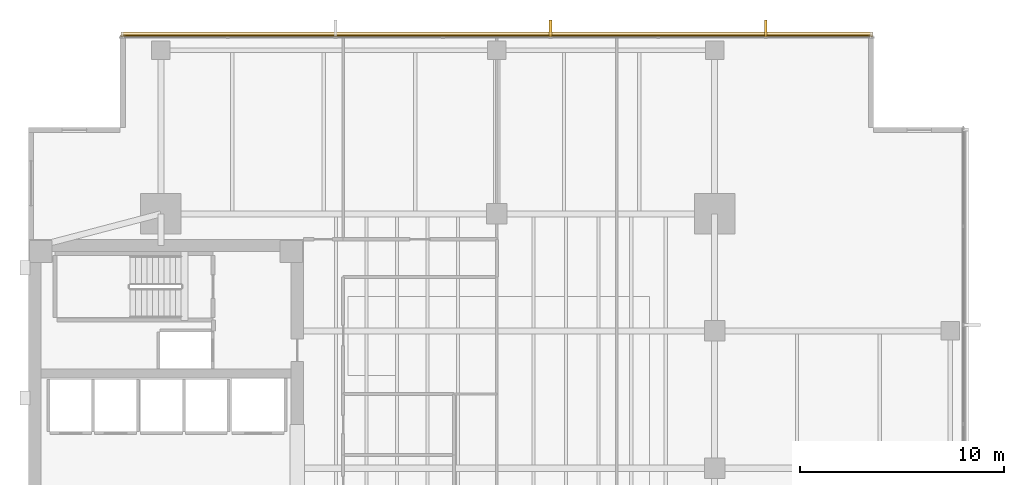
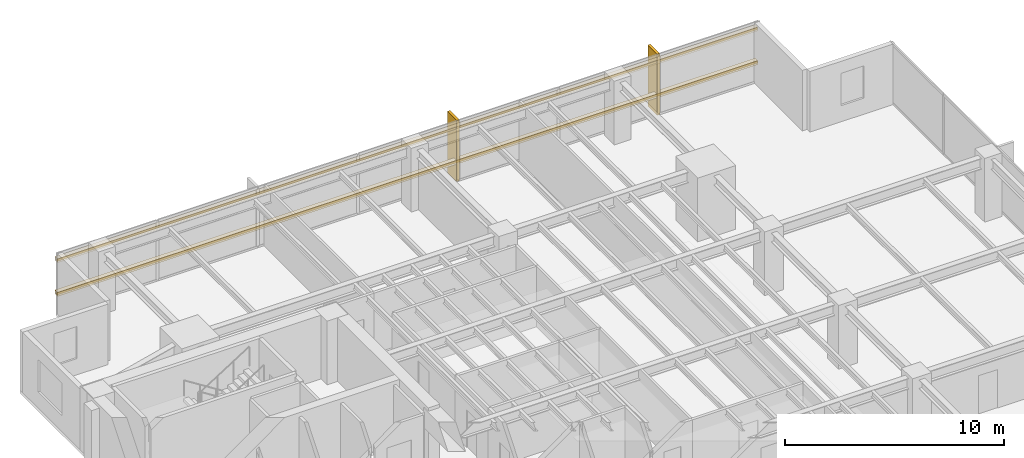
# One storey, part 14 of 14: 4 coverings, 2 shading devices.
"""IFC4 building model written with IfcOpenShell, lengths in metres."""

from ifc_helpers import new_model, si_unit, direction, frame, origin, origin_2d, place, context, subcontext, project, spatial, polyline, rectangle, outline, extrude, material, layer, layer_set, material_profile, profile_set, type_object, element, save


model = new_model("IFC4")

# Units and contexts
model_context = context("Model", 3, precision=1e-05, world=origin(), true_north=direction((0.0, 1.0)))
body_context = subcontext(model_context, "Body", "Model", "MODEL_VIEW")
ifc_project = project(units=[si_unit("LENGTHUNIT", "METRE"), si_unit("AREAUNIT", "SQUARE_METRE"), si_unit("VOLUMEUNIT", "CUBIC_METRE"), si_unit("PLANEANGLEUNIT", "RADIAN"), si_unit("MASSUNIT", "GRAM", prefix="KILO")], contexts=[model_context])

# Site, building, storey
site_placement = place(None, origin())
site = spatial("IfcSite", under=ifc_project, at=site_placement, CompositionType="ELEMENT")
building_placement = place(site_placement, origin())
building = spatial("IfcBuilding", under=site, at=building_placement, Name="Kinhvarn Gate Tower", CompositionType="ELEMENT")
storey_placement = place(building_placement, frame((0.0, 0.0, 141.300048828125)))
storey = spatial("IfcBuildingStorey", under=building, at=storey_placement, Name="L37", CompositionType="ELEMENT", Elevation=141.300048828125)

# Coverings
ifc_material = material(Name="Fired architectural terracotta", Category="masonry")
ifc_layer_1 = layer(ifc_material, 0.239990234375)
ifc_layer_set_1 = layer_set([ifc_layer_1], Name="Fired architectural terracotta")
covering_type_1 = type_object("IfcCoveringType", Name="COV-BAG-220", PredefinedType="CLADDING", material=ifc_layer_set_1)
for number, where, name in (
    (1, (0.0, 0.0, 0.93994140625), "Terracotta Horizontal Sunscreen Band TBG-220 (L37)"),
    (2, (0.0, 0.0, 2.81005859375), "Terracotta Horizontal Sunscreen Band TBG-220 (L37)"),
):
    element("IfcCovering", number, at=place(storey_placement, frame(where)), inside=storey, type_object=covering_type_1, Name=name, PredefinedType="CLADDING", context=body_context, shape_type="SweptSolid", body=[
        extrude(outline(polyline([(45.9599609375, 46.429931640625), (9.0400390625, 46.429931640625), (9.0400390625, 46.669921875), (45.9599609375, 46.669921875), (45.9599609375, 46.429931640625)])), origin(), (0.0, 0.0, 1.0), 0.219970703125),
    ])
ifc_layer_2 = layer(ifc_material, 0.139892578125)
ifc_layer_set_2 = layer_set([ifc_layer_2], Name="Fired architectural terracotta")
covering_type_2 = type_object("IfcCoveringType", Name="COV-FIN-850", PredefinedType="CLADDING", material=ifc_layer_set_2)
covering_1_placement = place(storey_placement, frame((0.0, 0.0, -0.02001953125)))
element("IfcCovering", 3, at=covering_1_placement, inside=storey, type_object=covering_type_2, Name="Vertical Terracotta Expressive Fin TFN-850 (L37)", PredefinedType="CLADDING", context=body_context, shape_type="SweptSolid", body=[
    extrude(outline(polyline([(40.7841796875, 46.419921875), (40.644287109375, 46.419921875), (40.644287109375, 47.27001953125), (40.7841796875, 47.27001953125), (40.7841796875, 46.419921875)])), origin(), (0.0, 0.0, 1.0), 3.409912109375),
])
covering_2_placement = place(storey_placement, frame((0.0, 0.0, -0.02001953125)))
element("IfcCovering", 4, at=covering_2_placement, inside=storey, type_object=covering_type_2, Name="Vertical Terracotta Expressive Fin TFN-850 (L37)", PredefinedType="CLADDING", context=body_context, shape_type="SweptSolid", body=[
    extrude(outline(polyline([(30.212890625, 46.419921875), (30.072998046875, 46.419921875), (30.072998046875, 47.27001953125), (30.212890625, 47.27001953125), (30.212890625, 46.419921875)])), origin(), (0.0, 0.0, 1.0), 3.409912109375),
])

# Shading devices
ifc_material_profile = material_profile(ifc_material, rectangle(XDim=0.050048828125, YDim=0.1201171875, at=origin_2d()), Name="TC 50x120")
ifc_profile_set = profile_set([ifc_material_profile], Name="Fired architectural terracotta")
shading_device_type = type_object("IfcShadingDeviceType", Name="SHD-BAG-140", PredefinedType="USERDEFINED", material=ifc_profile_set)
for number, where, z_axis, x_axis, name in (
    (5, (45.9599609375, 46.5, 1.050048828125), (-1.0, 0.0, 0.0), (0.0, -1.0, 0.0), "Upper Tower Terracotta Baguette Screen Rod 50x120 mm (L37)"),
    (6, (45.9599609375, 46.5, 2.919921875), (-1.0, 0.0, 0.0), (0.0, -1.0, 0.0), "Upper Tower Terracotta Baguette Screen Rod 50x120 mm (L37)"),
):
    element("IfcShadingDevice", number, at=place(storey_placement, frame(where, z_axis=z_axis, x_axis=x_axis)), inside=storey, type_object=shading_device_type, Name=name, ObjectType="BAGUETTE", PredefinedType="USERDEFINED", context=body_context, shape_type="SweptSolid", body=[
        extrude(rectangle(XDim=0.050048828125, YDim=0.1201171875, at=origin_2d()), origin(), (0.0, 0.0, 1.0), 36.919921875),
    ])

save(model, "model.ifc")
